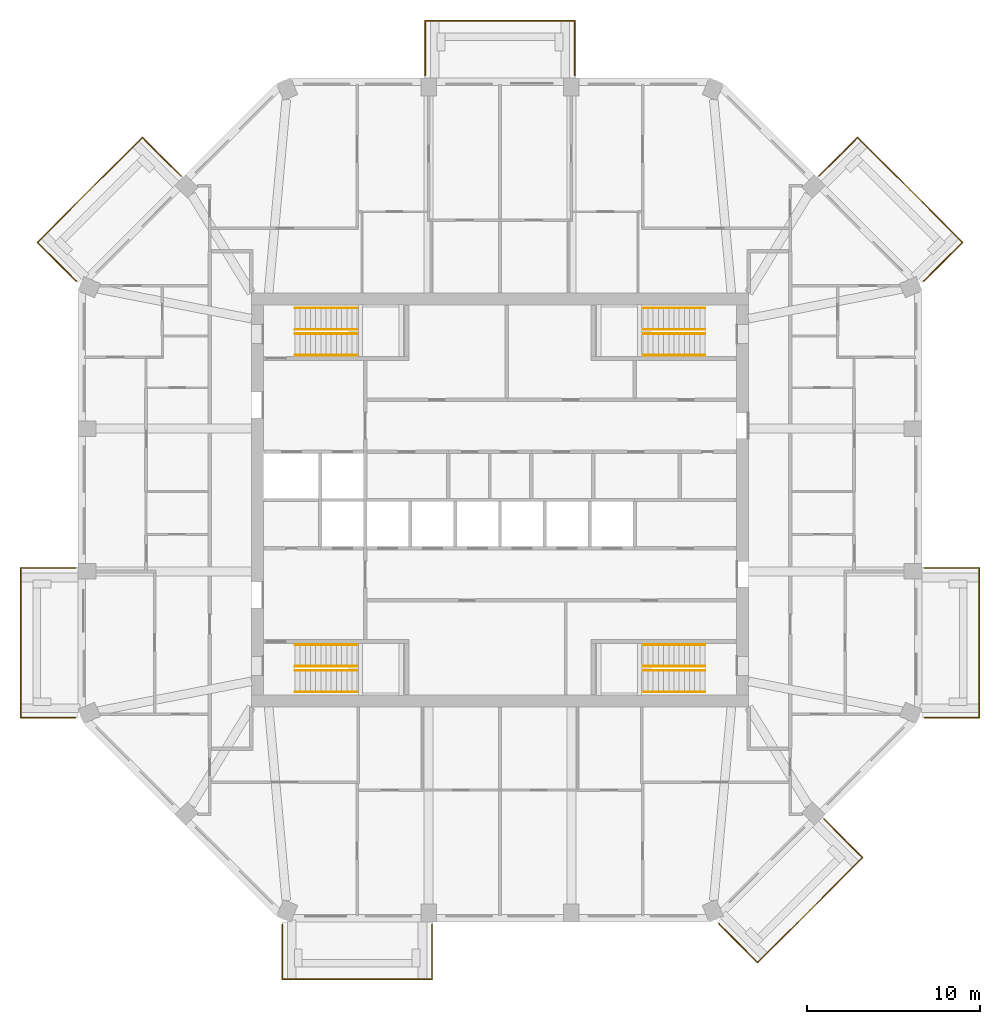
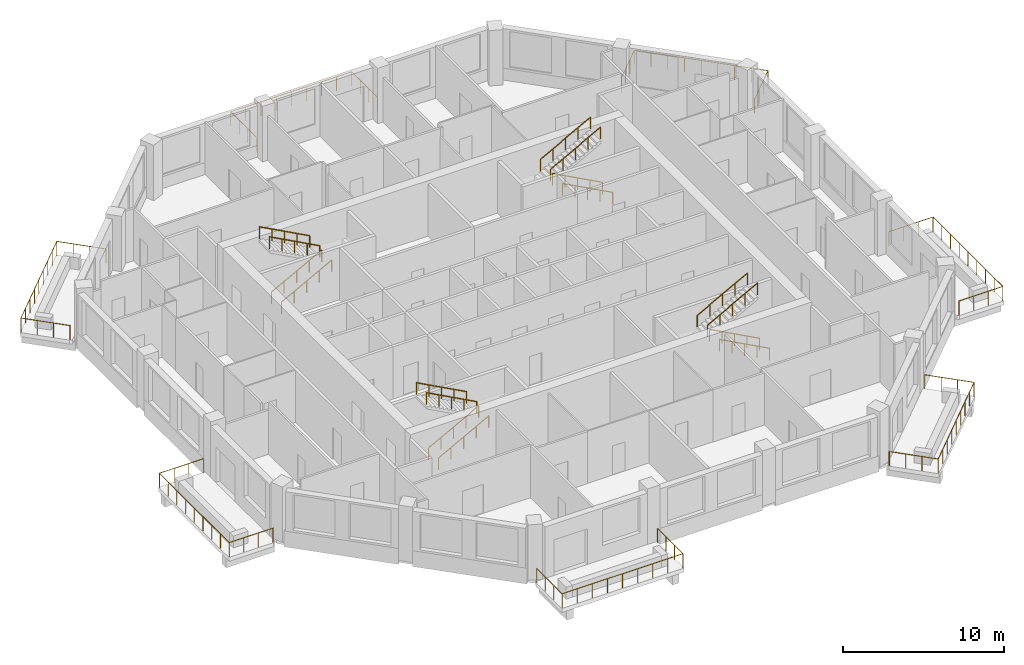
# One storey, part 10 of 10: 23 railings.
"""IFC4 building model written with IfcOpenShell, lengths in metres."""

from ifc_helpers import new_model, si_unit, direction, frame, origin, origin_2d, place, context, subcontext, project, spatial, circle, extrude, material, constituent, constituent_set, type_object, element, save


model = new_model("IFC4")

# Units and contexts
model_context = context("Model", 3, precision=1e-05, world=origin(), true_north=direction((0.0, 1.0)))
body_context = subcontext(model_context, "Body", "Model", "MODEL_VIEW")
ifc_project = project(units=[si_unit("LENGTHUNIT", "METRE"), si_unit("AREAUNIT", "SQUARE_METRE"), si_unit("VOLUMEUNIT", "CUBIC_METRE"), si_unit("PLANEANGLEUNIT", "RADIAN"), si_unit("MASSUNIT", "GRAM", prefix="KILO")], contexts=[model_context])

# Site, building, storey
site_placement = place(None, origin())
site = spatial("IfcSite", under=ifc_project, at=site_placement, CompositionType="ELEMENT")
building_placement = place(site_placement, origin())
building = spatial("IfcBuilding", under=site, at=building_placement, Name="Msitu Wima Residences", CompositionType="ELEMENT")
storey_placement = place(building_placement, frame((0.0, 0.0, 191.699951171875)))
storey = spatial("IfcBuildingStorey", under=building, at=storey_placement, Name="L44", CompositionType="ELEMENT", Elevation=191.699951171875)

# Railings
ifc_material_1 = material(Name="Steel S355", Category="steel")
ifc_constituent_1 = constituent(ifc_material_1, Name="Steel S355")
ifc_material_2 = material(Name="Weathering patina")
ifc_constituent_2 = constituent(ifc_material_2, Name="Weathering patina")
ifc_constituent_set_1 = constituent_set(constituents=[ifc_constituent_1, ifc_constituent_2], Name="Steel S355")
railing_type_1 = type_object("IfcRailingType", Name="Balcony guard GR1100", PredefinedType="GUARDRAIL", material=ifc_constituent_set_1)
railing_1_placement = place(storey_placement, frame((24.580078125, -3.937255859375, 0.0)))
element("IfcRailing", 1, at=railing_1_placement, inside=storey, type_object=railing_type_1, Name="Balcony guard E0 L44", PredefinedType="GUARDRAIL", context=body_context, shape_type="SweptSolid", body=[
    extrude(circle(Radius=0.02392578125, at=origin_2d()), frame((0.0, 0.0, 1.076171875), z_axis=(1.0, 0.0, 0.0), x_axis=(0.0, 1.0, 0.0)), (0.0, 0.0, 1.0), 3.169921875),
    extrude(circle(Radius=0.02392578125, at=origin_2d()), frame((3.169921875, 0.0, 1.076171875), z_axis=(0.0, -1.0, 0.0), x_axis=(1.0, 0.0, 0.0)), (0.0, 0.0, 1.0), 8.674560546875),
    extrude(circle(Radius=0.02392578125, at=origin_2d()), frame((3.169921875, -8.674560546875, 1.076171875), z_axis=(-1.0, 0.0, 0.0), x_axis=(0.0, -1.0, 0.0)), (0.0, 0.0, 1.0), 3.136474609375),
    extrude(circle(Radius=0.02392578125, at=origin_2d()), frame((0.033447265625, -8.674560546875, 1.076171875), z_axis=(-0.923276184907, 0.384136806859, 0.0), x_axis=(-0.384136806859, -0.923276184907, 0.0)), (0.0, 0.0, 1.0), 0.0361328125),
    extrude(circle(Radius=0.02099609375, at=origin_2d()), origin(), (0.0, 0.0, 1.0), 1.052001953125),
    extrude(circle(Radius=0.02099609375, at=origin_2d()), frame((1.056640625, 0.0, 0.0)), (0.0, 0.0, 1.0), 1.052001953125),
    extrude(circle(Radius=0.02099609375, at=origin_2d()), frame((2.11328125, 0.0, 0.0)), (0.0, 0.0, 1.0), 1.052001953125),
    extrude(circle(Radius=0.02099609375, at=origin_2d()), frame((3.169921875, 0.0, 0.0)), (0.0, 0.0, 1.0), 1.052001953125),
    extrude(circle(Radius=0.02099609375, at=origin_2d()), frame((3.169921875, -1.084228515625, 0.0)), (0.0, 0.0, 1.0), 1.052001953125),
    extrude(circle(Radius=0.02099609375, at=origin_2d()), frame((3.169921875, -2.168701171875, 0.0)), (0.0, 0.0, 1.0), 1.052001953125),
    extrude(circle(Radius=0.02099609375, at=origin_2d()), frame((3.169921875, -3.2529296875, 0.0)), (0.0, 0.0, 1.0), 1.052001953125),
    extrude(circle(Radius=0.02099609375, at=origin_2d()), frame((3.169921875, -4.33740234375, 0.0)), (0.0, 0.0, 1.0), 1.052001953125),
    extrude(circle(Radius=0.02099609375, at=origin_2d()), frame((3.169921875, -5.421630859375, 0.0)), (0.0, 0.0, 1.0), 1.052001953125),
    extrude(circle(Radius=0.02099609375, at=origin_2d()), frame((3.169921875, -6.505859375, 0.0)), (0.0, 0.0, 1.0), 1.052001953125),
    extrude(circle(Radius=0.02099609375, at=origin_2d()), frame((3.169921875, -7.59033203125, 0.0)), (0.0, 0.0, 1.0), 1.052001953125),
    extrude(circle(Radius=0.02099609375, at=origin_2d()), frame((3.169921875, -8.674560546875, 0.0)), (0.0, 0.0, 1.0), 1.052001953125),
    extrude(circle(Radius=0.02099609375, at=origin_2d()), frame((2.12451171875, -8.674560546875, 0.0)), (0.0, 0.0, 1.0), 1.052001953125),
    extrude(circle(Radius=0.02099609375, at=origin_2d()), frame((1.078857421875, -8.674560546875, 0.0)), (0.0, 0.0, 1.0), 1.052001953125),
    extrude(circle(Radius=0.02099609375, at=origin_2d()), frame((0.033447265625, -8.674560546875, 0.0)), (0.0, 0.0, 1.0), 1.052001953125),
    extrude(circle(Radius=0.02099609375, at=origin_2d()), frame((0.0, -8.66064453125, 0.0)), (0.0, 0.0, 1.0), 1.052001953125),
])
railing_2_placement = place(storey_placement, frame((18.474609375, 18.75732421875, 0.0)))
element("IfcRailing", 2, at=railing_2_placement, inside=storey, type_object=railing_type_1, Name="Balcony guard NE0 L44", PredefinedType="GUARDRAIL", context=body_context, shape_type="SweptSolid", body=[
    extrude(circle(Radius=0.02392578125, at=origin_2d()), frame((0.0, 0.0, 1.076171875), z_axis=(0.707068272989, 0.707145287287, 0.0), x_axis=(-0.707145287287, 0.707068272989, 0.0)), (0.0, 0.0, 1.0), 3.170166015625),
    extrude(circle(Radius=0.02392578125, at=origin_2d()), frame((2.241455078125, 2.24169921875, 1.076171875), z_axis=(0.707106781187, -0.707106781187, 0.0), x_axis=(0.707106781187, 0.707106781187, 0.0)), (0.0, 0.0, 1.0), 8.593994140625),
    extrude(circle(Radius=0.02392578125, at=origin_2d()), frame((8.318359375, -3.835205078125, 1.076171875), z_axis=(-0.707067861805, -0.707145698426, 0.0), x_axis=(0.707145698426, -0.707067861805, 0.0)), (0.0, 0.0, 1.0), 3.136474609375),
    extrude(circle(Radius=0.02392578125, at=origin_2d()), frame((6.1005859375, -6.05322265625, 1.076171875), z_axis=(-0.923276184907, -0.384136806859, 0.0), x_axis=(0.384136806859, -0.923276184907, 0.0)), (0.0, 0.0, 1.0), 0.0361328125),
    extrude(circle(Radius=0.02099609375, at=origin_2d()), origin(), (0.0, 0.0, 1.0), 1.052001953125),
    extrude(circle(Radius=0.02099609375, at=origin_2d()), frame((0.7470703125, 0.747314453125, 0.0)), (0.0, 0.0, 1.0), 1.052001953125),
    extrude(circle(Radius=0.02099609375, at=origin_2d()), frame((1.494384765625, 1.494384765625, 0.0)), (0.0, 0.0, 1.0), 1.052001953125),
    extrude(circle(Radius=0.02099609375, at=origin_2d()), frame((2.241455078125, 2.24169921875, 0.0)), (0.0, 0.0, 1.0), 1.052001953125),
    extrude(circle(Radius=0.02099609375, at=origin_2d()), frame((3.0009765625, 1.482177734375, 0.0)), (0.0, 0.0, 1.0), 1.052001953125),
    extrude(circle(Radius=0.02099609375, at=origin_2d()), frame((3.7607421875, 0.722412109375, 0.0)), (0.0, 0.0, 1.0), 1.052001953125),
    extrude(circle(Radius=0.02099609375, at=origin_2d()), frame((4.520263671875, -0.037109375, 0.0)), (0.0, 0.0, 1.0), 1.052001953125),
    extrude(circle(Radius=0.02099609375, at=origin_2d()), frame((5.27978515625, -0.796875, 0.0)), (0.0, 0.0, 1.0), 1.052001953125),
    extrude(circle(Radius=0.02099609375, at=origin_2d()), frame((6.03955078125, -1.556396484375, 0.0)), (0.0, 0.0, 1.0), 1.052001953125),
    extrude(circle(Radius=0.02099609375, at=origin_2d()), frame((6.799072265625, -2.31591796875, 0.0)), (0.0, 0.0, 1.0), 1.052001953125),
    extrude(circle(Radius=0.02099609375, at=origin_2d()), frame((7.558837890625, -3.07568359375, 0.0)), (0.0, 0.0, 1.0), 1.052001953125),
    extrude(circle(Radius=0.02099609375, at=origin_2d()), frame((8.318359375, -3.835205078125, 0.0)), (0.0, 0.0, 1.0), 1.052001953125),
    extrude(circle(Radius=0.02099609375, at=origin_2d()), frame((7.5791015625, -4.574462890625, 0.0)), (0.0, 0.0, 1.0), 1.052001953125),
    extrude(circle(Radius=0.02099609375, at=origin_2d()), frame((6.83984375, -5.31396484375, 0.0)), (0.0, 0.0, 1.0), 1.052001953125),
    extrude(circle(Radius=0.02099609375, at=origin_2d()), frame((6.1005859375, -6.05322265625, 0.0)), (0.0, 0.0, 1.0), 1.052001953125),
    extrude(circle(Radius=0.02099609375, at=origin_2d()), frame((6.067138671875, -6.067138671875, 0.0)), (0.0, 0.0, 1.0), 1.052001953125),
])
railing_3_placement = place(storey_placement, frame((-4.337158203125, 24.580078125, 0.0)))
element("IfcRailing", 3, at=railing_3_placement, inside=storey, type_object=railing_type_1, Name="Balcony guard N1 L44", PredefinedType="GUARDRAIL", context=body_context, shape_type="SweptSolid", body=[
    extrude(circle(Radius=0.02392578125, at=origin_2d()), frame((0.0, 0.0, 1.076171875), z_axis=(0.0, 1.0, 0.0), x_axis=(-1.0, 0.0, 0.0)), (0.0, 0.0, 1.0), 3.169921875),
    extrude(circle(Radius=0.02392578125, at=origin_2d()), frame((0.0, 3.169921875, 1.076171875), z_axis=(1.0, 0.0, 0.0), x_axis=(0.0, 1.0, 0.0)), (0.0, 0.0, 1.0), 8.67431640625),
    extrude(circle(Radius=0.02392578125, at=origin_2d()), frame((8.67431640625, 3.169921875, 1.076171875), z_axis=(0.0, -1.0, 0.0), x_axis=(1.0, 0.0, 0.0)), (0.0, 0.0, 1.0), 3.169921875),
    extrude(circle(Radius=0.02099609375, at=origin_2d()), origin(), (0.0, 0.0, 1.0), 1.052001953125),
    extrude(circle(Radius=0.02099609375, at=origin_2d()), frame((0.0, 1.056640625, 0.0)), (0.0, 0.0, 1.0), 1.052001953125),
    extrude(circle(Radius=0.02099609375, at=origin_2d()), frame((0.0, 2.11328125, 0.0)), (0.0, 0.0, 1.0), 1.052001953125),
    extrude(circle(Radius=0.02099609375, at=origin_2d()), frame((0.0, 3.169921875, 0.0)), (0.0, 0.0, 1.0), 1.052001953125),
    extrude(circle(Radius=0.02099609375, at=origin_2d()), frame((1.084228515625, 3.169921875, 0.0)), (0.0, 0.0, 1.0), 1.052001953125),
    extrude(circle(Radius=0.02099609375, at=origin_2d()), frame((2.16845703125, 3.169921875, 0.0)), (0.0, 0.0, 1.0), 1.052001953125),
    extrude(circle(Radius=0.02099609375, at=origin_2d()), frame((3.2529296875, 3.169921875, 0.0)), (0.0, 0.0, 1.0), 1.052001953125),
    extrude(circle(Radius=0.02099609375, at=origin_2d()), frame((4.337158203125, 3.169921875, 0.0)), (0.0, 0.0, 1.0), 1.052001953125),
    extrude(circle(Radius=0.02099609375, at=origin_2d()), frame((5.42138671875, 3.169921875, 0.0)), (0.0, 0.0, 1.0), 1.052001953125),
    extrude(circle(Radius=0.02099609375, at=origin_2d()), frame((6.505859375, 3.169921875, 0.0)), (0.0, 0.0, 1.0), 1.052001953125),
    extrude(circle(Radius=0.02099609375, at=origin_2d()), frame((7.590087890625, 3.169921875, 0.0)), (0.0, 0.0, 1.0), 1.052001953125),
    extrude(circle(Radius=0.02099609375, at=origin_2d()), frame((8.67431640625, 3.169921875, 0.0)), (0.0, 0.0, 1.0), 1.052001953125),
    extrude(circle(Radius=0.02099609375, at=origin_2d()), frame((8.67431640625, 2.11328125, 0.0)), (0.0, 0.0, 1.0), 1.052001953125),
    extrude(circle(Radius=0.02099609375, at=origin_2d()), frame((8.67431640625, 1.056640625, 0.0)), (0.0, 0.0, 1.0), 1.052001953125),
    extrude(circle(Radius=0.02099609375, at=origin_2d()), frame((8.67431640625, 0.0, 0.0)), (0.0, 0.0, 1.0), 1.052001953125),
])
railing_4_placement = place(storey_placement, frame((-24.541748046875, 12.690185546875, 0.0)))
element("IfcRailing", 4, at=railing_4_placement, inside=storey, type_object=railing_type_1, Name="Balcony guard NW1 L44", PredefinedType="GUARDRAIL", context=body_context, shape_type="SweptSolid", body=[
    extrude(circle(Radius=0.02392578125, at=origin_2d()), frame((0.0, 0.0, 1.076171875), z_axis=(-0.923276184907, 0.384136806859, 0.0), x_axis=(-0.384136806859, -0.923276184907, 0.0)), (0.0, 0.0, 1.0), 0.0361328125),
    extrude(circle(Radius=0.02392578125, at=origin_2d()), frame((-0.033447265625, 0.013916015625, 1.076171875), z_axis=(-0.707067861805, 0.707145698426, 0.0), x_axis=(-0.707145698426, -0.707067861805, 0.0)), (0.0, 0.0, 1.0), 3.136474609375),
    extrude(circle(Radius=0.02392578125, at=origin_2d()), frame((-2.251220703125, 2.23193359375, 1.076171875), z_axis=(0.707106781187, 0.707106781187, 0.0), x_axis=(-0.707106781187, 0.707106781187, 0.0)), (0.0, 0.0, 1.0), 8.593994140625),
    extrude(circle(Radius=0.02392578125, at=origin_2d()), frame((3.82568359375, 8.308837890625, 1.076171875), z_axis=(0.707068272989, -0.707145287287, 0.0), x_axis=(0.707145287287, 0.707068272989, 0.0)), (0.0, 0.0, 1.0), 3.170166015625),
    extrude(circle(Radius=0.02099609375, at=origin_2d()), origin(), (0.0, 0.0, 1.0), 1.052001953125),
    extrude(circle(Radius=0.02099609375, at=origin_2d()), frame((-0.033447265625, 0.013916015625, 0.0)), (0.0, 0.0, 1.0), 1.052001953125),
    extrude(circle(Radius=0.02099609375, at=origin_2d()), frame((-0.772705078125, 0.753173828125, 0.0)), (0.0, 0.0, 1.0), 1.052001953125),
    extrude(circle(Radius=0.02099609375, at=origin_2d()), frame((-1.511962890625, 1.49267578125, 0.0)), (0.0, 0.0, 1.0), 1.052001953125),
    extrude(circle(Radius=0.02099609375, at=origin_2d()), frame((-2.251220703125, 2.23193359375, 0.0)), (0.0, 0.0, 1.0), 1.052001953125),
    extrude(circle(Radius=0.02099609375, at=origin_2d()), frame((-1.49169921875, 2.991455078125, 0.0)), (0.0, 0.0, 1.0), 1.052001953125),
    extrude(circle(Radius=0.02099609375, at=origin_2d()), frame((-0.73193359375, 3.751220703125, 0.0)), (0.0, 0.0, 1.0), 1.052001953125),
    extrude(circle(Radius=0.02099609375, at=origin_2d()), frame((0.027587890625, 4.5107421875, 0.0)), (0.0, 0.0, 1.0), 1.052001953125),
    extrude(circle(Radius=0.02099609375, at=origin_2d()), frame((0.787109375, 5.2705078125, 0.0)), (0.0, 0.0, 1.0), 1.052001953125),
    extrude(circle(Radius=0.02099609375, at=origin_2d()), frame((1.546875, 6.030029296875, 0.0)), (0.0, 0.0, 1.0), 1.052001953125),
    extrude(circle(Radius=0.02099609375, at=origin_2d()), frame((2.306396484375, 6.78955078125, 0.0)), (0.0, 0.0, 1.0), 1.052001953125),
    extrude(circle(Radius=0.02099609375, at=origin_2d()), frame((3.066162109375, 7.54931640625, 0.0)), (0.0, 0.0, 1.0), 1.052001953125),
    extrude(circle(Radius=0.02099609375, at=origin_2d()), frame((3.82568359375, 8.308837890625, 0.0)), (0.0, 0.0, 1.0), 1.052001953125),
    extrude(circle(Radius=0.02099609375, at=origin_2d()), frame((4.57275390625, 7.5615234375, 0.0)), (0.0, 0.0, 1.0), 1.052001953125),
    extrude(circle(Radius=0.02099609375, at=origin_2d()), frame((5.320068359375, 6.814453125, 0.0)), (0.0, 0.0, 1.0), 1.052001953125),
    extrude(circle(Radius=0.02099609375, at=origin_2d()), frame((6.067138671875, 6.067138671875, 0.0)), (0.0, 0.0, 1.0), 1.052001953125),
])
railing_5_placement = place(storey_placement, frame((-24.580078125, -12.597900390625, 0.0)))
element("IfcRailing", 5, at=railing_5_placement, inside=storey, type_object=railing_type_1, Name="Balcony guard W2 L44", PredefinedType="GUARDRAIL", context=body_context, shape_type="SweptSolid", body=[
    extrude(circle(Radius=0.02392578125, at=origin_2d()), frame((0.0, 0.0, 1.076171875), z_axis=(-0.923276184907, -0.384136806859, 0.0), x_axis=(0.384136806859, -0.923276184907, 0.0)), (0.0, 0.0, 1.0), 0.0361328125),
    extrude(circle(Radius=0.02392578125, at=origin_2d()), frame((-0.033447265625, -0.013916015625, 1.076171875), z_axis=(-1.0, 0.0, 0.0), x_axis=(0.0, -1.0, 0.0)), (0.0, 0.0, 1.0), 3.136474609375),
    extrude(circle(Radius=0.02392578125, at=origin_2d()), frame((-3.169921875, -0.013916015625, 1.076171875), z_axis=(0.0, 1.0, 0.0), x_axis=(-1.0, 0.0, 0.0)), (0.0, 0.0, 1.0), 8.674560546875),
    extrude(circle(Radius=0.02392578125, at=origin_2d()), frame((-3.169921875, 8.66064453125, 1.076171875), z_axis=(1.0, 0.0, 0.0), x_axis=(0.0, 1.0, 0.0)), (0.0, 0.0, 1.0), 3.169921875),
    extrude(circle(Radius=0.02099609375, at=origin_2d()), origin(), (0.0, 0.0, 1.0), 1.052001953125),
    extrude(circle(Radius=0.02099609375, at=origin_2d()), frame((-0.033447265625, -0.013916015625, 0.0)), (0.0, 0.0, 1.0), 1.052001953125),
    extrude(circle(Radius=0.02099609375, at=origin_2d()), frame((-1.078857421875, -0.013916015625, 0.0)), (0.0, 0.0, 1.0), 1.052001953125),
    extrude(circle(Radius=0.02099609375, at=origin_2d()), frame((-2.12451171875, -0.013916015625, 0.0)), (0.0, 0.0, 1.0), 1.052001953125),
    extrude(circle(Radius=0.02099609375, at=origin_2d()), frame((-3.169921875, -0.013916015625, 0.0)), (0.0, 0.0, 1.0), 1.052001953125),
    extrude(circle(Radius=0.02099609375, at=origin_2d()), frame((-3.169921875, 1.0703125, 0.0)), (0.0, 0.0, 1.0), 1.052001953125),
    extrude(circle(Radius=0.02099609375, at=origin_2d()), frame((-3.169921875, 2.15478515625, 0.0)), (0.0, 0.0, 1.0), 1.052001953125),
    extrude(circle(Radius=0.02099609375, at=origin_2d()), frame((-3.169921875, 3.239013671875, 0.0)), (0.0, 0.0, 1.0), 1.052001953125),
    extrude(circle(Radius=0.02099609375, at=origin_2d()), frame((-3.169921875, 4.3232421875, 0.0)), (0.0, 0.0, 1.0), 1.052001953125),
    extrude(circle(Radius=0.02099609375, at=origin_2d()), frame((-3.169921875, 5.40771484375, 0.0)), (0.0, 0.0, 1.0), 1.052001953125),
    extrude(circle(Radius=0.02099609375, at=origin_2d()), frame((-3.169921875, 6.491943359375, 0.0)), (0.0, 0.0, 1.0), 1.052001953125),
    extrude(circle(Radius=0.02099609375, at=origin_2d()), frame((-3.169921875, 7.576416015625, 0.0)), (0.0, 0.0, 1.0), 1.052001953125),
    extrude(circle(Radius=0.02099609375, at=origin_2d()), frame((-3.169921875, 8.66064453125, 0.0)), (0.0, 0.0, 1.0), 1.052001953125),
    extrude(circle(Radius=0.02099609375, at=origin_2d()), frame((-2.11328125, 8.66064453125, 0.0)), (0.0, 0.0, 1.0), 1.052001953125),
    extrude(circle(Radius=0.02099609375, at=origin_2d()), frame((-1.056640625, 8.66064453125, 0.0)), (0.0, 0.0, 1.0), 1.052001953125),
    extrude(circle(Radius=0.02099609375, at=origin_2d()), frame((0.0, 8.66064453125, 0.0)), (0.0, 0.0, 1.0), 1.052001953125),
])
railing_6_placement = place(storey_placement, frame((-3.937255859375, -24.580078125, 0.0)))
element("IfcRailing", 6, at=railing_6_placement, inside=storey, type_object=railing_type_1, Name="Balcony guard S0 L44", PredefinedType="GUARDRAIL", context=body_context, shape_type="SweptSolid", body=[
    extrude(circle(Radius=0.02392578125, at=origin_2d()), frame((0.0, 0.0, 1.076171875), z_axis=(0.0, -1.0, 0.0), x_axis=(1.0, 0.0, 0.0)), (0.0, 0.0, 1.0), 3.169921875),
    extrude(circle(Radius=0.02392578125, at=origin_2d()), frame((0.0, -3.169921875, 1.076171875), z_axis=(-1.0, 0.0, 0.0), x_axis=(0.0, -1.0, 0.0)), (0.0, 0.0, 1.0), 8.674560546875),
    extrude(circle(Radius=0.02392578125, at=origin_2d()), frame((-8.674560546875, -3.169921875, 1.076171875), z_axis=(0.0, 1.0, 0.0), x_axis=(-1.0, 0.0, 0.0)), (0.0, 0.0, 1.0), 3.136474609375),
    extrude(circle(Radius=0.02392578125, at=origin_2d()), frame((-8.674560546875, -0.033447265625, 1.076171875), z_axis=(0.384136806859, 0.923276184907, 0.0), x_axis=(-0.923276184907, 0.384136806859, 0.0)), (0.0, 0.0, 1.0), 0.0361328125),
    extrude(circle(Radius=0.02099609375, at=origin_2d()), origin(), (0.0, 0.0, 1.0), 1.052001953125),
    extrude(circle(Radius=0.02099609375, at=origin_2d()), frame((0.0, -1.056640625, 0.0)), (0.0, 0.0, 1.0), 1.052001953125),
    extrude(circle(Radius=0.02099609375, at=origin_2d()), frame((0.0, -2.11328125, 0.0)), (0.0, 0.0, 1.0), 1.052001953125),
    extrude(circle(Radius=0.02099609375, at=origin_2d()), frame((0.0, -3.169921875, 0.0)), (0.0, 0.0, 1.0), 1.052001953125),
    extrude(circle(Radius=0.02099609375, at=origin_2d()), frame((-1.084228515625, -3.169921875, 0.0)), (0.0, 0.0, 1.0), 1.052001953125),
    extrude(circle(Radius=0.02099609375, at=origin_2d()), frame((-2.168701171875, -3.169921875, 0.0)), (0.0, 0.0, 1.0), 1.052001953125),
    extrude(circle(Radius=0.02099609375, at=origin_2d()), frame((-3.2529296875, -3.169921875, 0.0)), (0.0, 0.0, 1.0), 1.052001953125),
    extrude(circle(Radius=0.02099609375, at=origin_2d()), frame((-4.33740234375, -3.169921875, 0.0)), (0.0, 0.0, 1.0), 1.052001953125),
    extrude(circle(Radius=0.02099609375, at=origin_2d()), frame((-5.421630859375, -3.169921875, 0.0)), (0.0, 0.0, 1.0), 1.052001953125),
    extrude(circle(Radius=0.02099609375, at=origin_2d()), frame((-6.505859375, -3.169921875, 0.0)), (0.0, 0.0, 1.0), 1.052001953125),
    extrude(circle(Radius=0.02099609375, at=origin_2d()), frame((-7.59033203125, -3.169921875, 0.0)), (0.0, 0.0, 1.0), 1.052001953125),
    extrude(circle(Radius=0.02099609375, at=origin_2d()), frame((-8.674560546875, -3.169921875, 0.0)), (0.0, 0.0, 1.0), 1.052001953125),
    extrude(circle(Radius=0.02099609375, at=origin_2d()), frame((-8.674560546875, -2.12451171875, 0.0)), (0.0, 0.0, 1.0), 1.052001953125),
    extrude(circle(Radius=0.02099609375, at=origin_2d()), frame((-8.674560546875, -1.078857421875, 0.0)), (0.0, 0.0, 1.0), 1.052001953125),
    extrude(circle(Radius=0.02099609375, at=origin_2d()), frame((-8.674560546875, -0.033447265625, 0.0)), (0.0, 0.0, 1.0), 1.052001953125),
    extrude(circle(Radius=0.02099609375, at=origin_2d()), frame((-8.66064453125, 0.0, 0.0)), (0.0, 0.0, 1.0), 1.052001953125),
])
railing_7_placement = place(storey_placement, frame((18.75732421875, -18.474609375, 0.0)))
element("IfcRailing", 7, at=railing_7_placement, inside=storey, type_object=railing_type_1, Name="Balcony guard SE0 L44", PredefinedType="GUARDRAIL", context=body_context, shape_type="SweptSolid", body=[
    extrude(circle(Radius=0.02392578125, at=origin_2d()), frame((0.0, 0.0, 1.076171875), z_axis=(0.707145287287, -0.707068272989, 0.0), x_axis=(0.707068272989, 0.707145287287, 0.0)), (0.0, 0.0, 1.0), 3.170166015625),
    extrude(circle(Radius=0.02392578125, at=origin_2d()), frame((2.24169921875, -2.241455078125, 1.076171875), z_axis=(-0.707106781187, -0.707106781187, 0.0), x_axis=(0.707106781187, -0.707106781187, 0.0)), (0.0, 0.0, 1.0), 8.593994140625),
    extrude(circle(Radius=0.02392578125, at=origin_2d()), frame((-3.835205078125, -8.318359375, 1.076171875), z_axis=(-0.707145698426, 0.707067861805, 0.0), x_axis=(-0.707067861805, -0.707145698426, 0.0)), (0.0, 0.0, 1.0), 3.136474609375),
    extrude(circle(Radius=0.02392578125, at=origin_2d()), frame((-6.05322265625, -6.1005859375, 1.076171875), z_axis=(-0.384136806859, 0.923276184907, 0.0), x_axis=(-0.923276184907, -0.384136806859, 0.0)), (0.0, 0.0, 1.0), 0.0361328125),
    extrude(circle(Radius=0.02099609375, at=origin_2d()), origin(), (0.0, 0.0, 1.0), 1.052001953125),
    extrude(circle(Radius=0.02099609375, at=origin_2d()), frame((0.747314453125, -0.7470703125, 0.0)), (0.0, 0.0, 1.0), 1.052001953125),
    extrude(circle(Radius=0.02099609375, at=origin_2d()), frame((1.494384765625, -1.494384765625, 0.0)), (0.0, 0.0, 1.0), 1.052001953125),
    extrude(circle(Radius=0.02099609375, at=origin_2d()), frame((2.24169921875, -2.241455078125, 0.0)), (0.0, 0.0, 1.0), 1.052001953125),
    extrude(circle(Radius=0.02099609375, at=origin_2d()), frame((1.482177734375, -3.0009765625, 0.0)), (0.0, 0.0, 1.0), 1.052001953125),
    extrude(circle(Radius=0.02099609375, at=origin_2d()), frame((0.722412109375, -3.7607421875, 0.0)), (0.0, 0.0, 1.0), 1.052001953125),
    extrude(circle(Radius=0.02099609375, at=origin_2d()), frame((-0.037109375, -4.520263671875, 0.0)), (0.0, 0.0, 1.0), 1.052001953125),
    extrude(circle(Radius=0.02099609375, at=origin_2d()), frame((-0.796875, -5.27978515625, 0.0)), (0.0, 0.0, 1.0), 1.052001953125),
    extrude(circle(Radius=0.02099609375, at=origin_2d()), frame((-1.556396484375, -6.03955078125, 0.0)), (0.0, 0.0, 1.0), 1.052001953125),
    extrude(circle(Radius=0.02099609375, at=origin_2d()), frame((-2.31591796875, -6.799072265625, 0.0)), (0.0, 0.0, 1.0), 1.052001953125),
    extrude(circle(Radius=0.02099609375, at=origin_2d()), frame((-3.07568359375, -7.558837890625, 0.0)), (0.0, 0.0, 1.0), 1.052001953125),
    extrude(circle(Radius=0.02099609375, at=origin_2d()), frame((-3.835205078125, -8.318359375, 0.0)), (0.0, 0.0, 1.0), 1.052001953125),
    extrude(circle(Radius=0.02099609375, at=origin_2d()), frame((-4.574462890625, -7.5791015625, 0.0)), (0.0, 0.0, 1.0), 1.052001953125),
    extrude(circle(Radius=0.02099609375, at=origin_2d()), frame((-5.31396484375, -6.83984375, 0.0)), (0.0, 0.0, 1.0), 1.052001953125),
    extrude(circle(Radius=0.02099609375, at=origin_2d()), frame((-6.05322265625, -6.1005859375, 0.0)), (0.0, 0.0, 1.0), 1.052001953125),
    extrude(circle(Radius=0.02099609375, at=origin_2d()), frame((-6.067138671875, -6.067138671875, 0.0)), (0.0, 0.0, 1.0), 1.052001953125),
])
ifc_constituent_3 = constituent(ifc_material_1, Name="Steel S355")
ifc_material_3 = material(Name="Black powder coating")
ifc_constituent_4 = constituent(ifc_material_3, Name="Black powder coating")
ifc_constituent_set_2 = constituent_set(constituents=[ifc_constituent_3, ifc_constituent_4], Name="Steel S355")
railing_type_2 = type_object("IfcRailingType", Name="Stair handrail HR1", PredefinedType="HANDRAIL", material=ifc_constituent_set_2)
for number, where, name in (
    (8, (-11.875, 8.375, 0.16162109375), "Stair 1 handrail"),
    (9, (-11.875, 9.625, 0.16162109375), "Stair 1 handrail"),
):
    element("IfcRailing", number, at=place(storey_placement, frame(where)), inside=storey, type_object=railing_type_2, Name=name, PredefinedType="HANDRAIL", context=body_context, shape_type="SweptSolid", body=[
        extrude(circle(Radius=0.02392578125, at=origin_2d()), frame((0.0, 0.0, 0.8759765625), z_axis=(0.880474934443, 0.0, 0.474092701714), x_axis=(0.0, 1.0, 0.0)), (0.0, 0.0, 1.0), 4.0888671875),
        extrude(circle(Radius=0.02099609375, at=origin_2d()), origin(), (0.0, 0.0, 1.0), 0.851806640625),
        extrude(circle(Radius=0.02099609375, at=origin_2d()), frame((0.89990234375, 0.0, 0.484619140625)), (0.0, 0.0, 1.0), 0.851806640625),
        extrude(circle(Radius=0.02099609375, at=origin_2d()), frame((1.800048828125, 0.0, 0.96923828125)), (0.0, 0.0, 1.0), 0.851806640625),
        extrude(circle(Radius=0.02099609375, at=origin_2d()), frame((2.7001953125, 0.0, 1.453857421875)), (0.0, 0.0, 1.0), 0.851806640625),
        extrude(circle(Radius=0.02099609375, at=origin_2d()), frame((3.60009765625, 0.0, 1.9384765625)), (0.0, 0.0, 1.0), 0.851806640625),
    ])
for number, where, name in (
    (10, (-8.27490234375, 9.875, 2.261474609375), "Stair 1 handrail"),
    (11, (-8.27490234375, 11.125, 2.261474609375), "Stair 1 handrail"),
):
    element("IfcRailing", number, at=place(storey_placement, frame(where)), inside=storey, type_object=railing_type_2, Name=name, PredefinedType="HANDRAIL", context=body_context, shape_type="SweptSolid", body=[
        extrude(circle(Radius=0.02392578125, at=origin_2d()), frame((0.0, 0.0, 0.8759765625), z_axis=(-0.880474934443, 0.0, 0.474092701714), x_axis=(0.0, -1.0, 0.0)), (0.0, 0.0, 1.0), 4.0888671875),
        extrude(circle(Radius=0.02099609375, at=origin_2d()), origin(), (0.0, 0.0, 1.0), 0.851806640625),
        extrude(circle(Radius=0.02099609375, at=origin_2d()), frame((-0.89990234375, 0.0, 0.484619140625)), (0.0, 0.0, 1.0), 0.851806640625),
        extrude(circle(Radius=0.02099609375, at=origin_2d()), frame((-1.800048828125, 0.0, 0.96923828125)), (0.0, 0.0, 1.0), 0.851806640625),
        extrude(circle(Radius=0.02099609375, at=origin_2d()), frame((-2.7001953125, 0.0, 1.453857421875)), (0.0, 0.0, 1.0), 0.851806640625),
        extrude(circle(Radius=0.02099609375, at=origin_2d()), frame((-3.60009765625, 0.0, 1.9384765625)), (0.0, 0.0, 1.0), 0.851806640625),
    ])
for number, where, name in (
    (12, (-11.875, -11.125, 0.16162109375), "Stair 2 handrail"),
    (13, (-11.875, -9.875, 0.16162109375), "Stair 2 handrail"),
):
    element("IfcRailing", number, at=place(storey_placement, frame(where)), inside=storey, type_object=railing_type_2, Name=name, PredefinedType="HANDRAIL", context=body_context, shape_type="SweptSolid", body=[
        extrude(circle(Radius=0.02392578125, at=origin_2d()), frame((0.0, 0.0, 0.8759765625), z_axis=(0.880474934443, 0.0, 0.474092701714), x_axis=(0.0, 1.0, 0.0)), (0.0, 0.0, 1.0), 4.0888671875),
        extrude(circle(Radius=0.02099609375, at=origin_2d()), origin(), (0.0, 0.0, 1.0), 0.851806640625),
        extrude(circle(Radius=0.02099609375, at=origin_2d()), frame((0.89990234375, 0.0, 0.484619140625)), (0.0, 0.0, 1.0), 0.851806640625),
        extrude(circle(Radius=0.02099609375, at=origin_2d()), frame((1.800048828125, 0.0, 0.96923828125)), (0.0, 0.0, 1.0), 0.851806640625),
        extrude(circle(Radius=0.02099609375, at=origin_2d()), frame((2.7001953125, 0.0, 1.453857421875)), (0.0, 0.0, 1.0), 0.851806640625),
        extrude(circle(Radius=0.02099609375, at=origin_2d()), frame((3.60009765625, 0.0, 1.9384765625)), (0.0, 0.0, 1.0), 0.851806640625),
    ])
for number, where, name in (
    (14, (-8.27490234375, -9.625, 2.261474609375), "Stair 2 handrail"),
    (15, (-8.27490234375, -8.375, 2.261474609375), "Stair 2 handrail"),
    (16, (11.875, 8.375, 0.16162109375), "Stair 3 handrail"),
    (17, (11.875, 9.625, 0.16162109375), "Stair 3 handrail"),
):
    element("IfcRailing", number, at=place(storey_placement, frame(where)), inside=storey, type_object=railing_type_2, Name=name, PredefinedType="HANDRAIL", context=body_context, shape_type="SweptSolid", body=[
        extrude(circle(Radius=0.02392578125, at=origin_2d()), frame((0.0, 0.0, 0.8759765625), z_axis=(-0.880474934443, 0.0, 0.474092701714), x_axis=(0.0, -1.0, 0.0)), (0.0, 0.0, 1.0), 4.0888671875),
        extrude(circle(Radius=0.02099609375, at=origin_2d()), origin(), (0.0, 0.0, 1.0), 0.851806640625),
        extrude(circle(Radius=0.02099609375, at=origin_2d()), frame((-0.89990234375, 0.0, 0.484619140625)), (0.0, 0.0, 1.0), 0.851806640625),
        extrude(circle(Radius=0.02099609375, at=origin_2d()), frame((-1.800048828125, 0.0, 0.96923828125)), (0.0, 0.0, 1.0), 0.851806640625),
        extrude(circle(Radius=0.02099609375, at=origin_2d()), frame((-2.7001953125, 0.0, 1.453857421875)), (0.0, 0.0, 1.0), 0.851806640625),
        extrude(circle(Radius=0.02099609375, at=origin_2d()), frame((-3.60009765625, 0.0, 1.9384765625)), (0.0, 0.0, 1.0), 0.851806640625),
    ])
for number, where, name in (
    (18, (8.27490234375, 9.875, 2.261474609375), "Stair 3 handrail"),
    (19, (8.27490234375, 11.125, 2.261474609375), "Stair 3 handrail"),
):
    element("IfcRailing", number, at=place(storey_placement, frame(where)), inside=storey, type_object=railing_type_2, Name=name, PredefinedType="HANDRAIL", context=body_context, shape_type="SweptSolid", body=[
        extrude(circle(Radius=0.02392578125, at=origin_2d()), frame((0.0, 0.0, 0.8759765625), z_axis=(0.880474934443, 0.0, 0.474092701714), x_axis=(0.0, 1.0, 0.0)), (0.0, 0.0, 1.0), 4.0888671875),
        extrude(circle(Radius=0.02099609375, at=origin_2d()), origin(), (0.0, 0.0, 1.0), 0.851806640625),
        extrude(circle(Radius=0.02099609375, at=origin_2d()), frame((0.89990234375, 0.0, 0.484619140625)), (0.0, 0.0, 1.0), 0.851806640625),
        extrude(circle(Radius=0.02099609375, at=origin_2d()), frame((1.800048828125, 0.0, 0.96923828125)), (0.0, 0.0, 1.0), 0.851806640625),
        extrude(circle(Radius=0.02099609375, at=origin_2d()), frame((2.7001953125, 0.0, 1.453857421875)), (0.0, 0.0, 1.0), 0.851806640625),
        extrude(circle(Radius=0.02099609375, at=origin_2d()), frame((3.60009765625, 0.0, 1.9384765625)), (0.0, 0.0, 1.0), 0.851806640625),
    ])
for number, where, name in (
    (20, (11.875, -11.125, 0.16162109375), "Stair 4 handrail"),
    (21, (11.875, -9.875, 0.16162109375), "Stair 4 handrail"),
):
    element("IfcRailing", number, at=place(storey_placement, frame(where)), inside=storey, type_object=railing_type_2, Name=name, PredefinedType="HANDRAIL", context=body_context, shape_type="SweptSolid", body=[
        extrude(circle(Radius=0.02392578125, at=origin_2d()), frame((0.0, 0.0, 0.8759765625), z_axis=(-0.880474934443, 0.0, 0.474092701714), x_axis=(0.0, -1.0, 0.0)), (0.0, 0.0, 1.0), 4.0888671875),
        extrude(circle(Radius=0.02099609375, at=origin_2d()), origin(), (0.0, 0.0, 1.0), 0.851806640625),
        extrude(circle(Radius=0.02099609375, at=origin_2d()), frame((-0.89990234375, 0.0, 0.484619140625)), (0.0, 0.0, 1.0), 0.851806640625),
        extrude(circle(Radius=0.02099609375, at=origin_2d()), frame((-1.800048828125, 0.0, 0.96923828125)), (0.0, 0.0, 1.0), 0.851806640625),
        extrude(circle(Radius=0.02099609375, at=origin_2d()), frame((-2.7001953125, 0.0, 1.453857421875)), (0.0, 0.0, 1.0), 0.851806640625),
        extrude(circle(Radius=0.02099609375, at=origin_2d()), frame((-3.60009765625, 0.0, 1.9384765625)), (0.0, 0.0, 1.0), 0.851806640625),
    ])
for number, where, name in (
    (22, (8.27490234375, -9.625, 2.261474609375), "Stair 4 handrail"),
    (23, (8.27490234375, -8.375, 2.261474609375), "Stair 4 handrail"),
):
    element("IfcRailing", number, at=place(storey_placement, frame(where)), inside=storey, type_object=railing_type_2, Name=name, PredefinedType="HANDRAIL", context=body_context, shape_type="SweptSolid", body=[
        extrude(circle(Radius=0.02392578125, at=origin_2d()), frame((0.0, 0.0, 0.8759765625), z_axis=(0.880474934443, 0.0, 0.474092701714), x_axis=(0.0, 1.0, 0.0)), (0.0, 0.0, 1.0), 4.0888671875),
        extrude(circle(Radius=0.02099609375, at=origin_2d()), origin(), (0.0, 0.0, 1.0), 0.851806640625),
        extrude(circle(Radius=0.02099609375, at=origin_2d()), frame((0.89990234375, 0.0, 0.484619140625)), (0.0, 0.0, 1.0), 0.851806640625),
        extrude(circle(Radius=0.02099609375, at=origin_2d()), frame((1.800048828125, 0.0, 0.96923828125)), (0.0, 0.0, 1.0), 0.851806640625),
        extrude(circle(Radius=0.02099609375, at=origin_2d()), frame((2.7001953125, 0.0, 1.453857421875)), (0.0, 0.0, 1.0), 0.851806640625),
        extrude(circle(Radius=0.02099609375, at=origin_2d()), frame((3.60009765625, 0.0, 1.9384765625)), (0.0, 0.0, 1.0), 0.851806640625),
    ])

save(model, "model.ifc")
